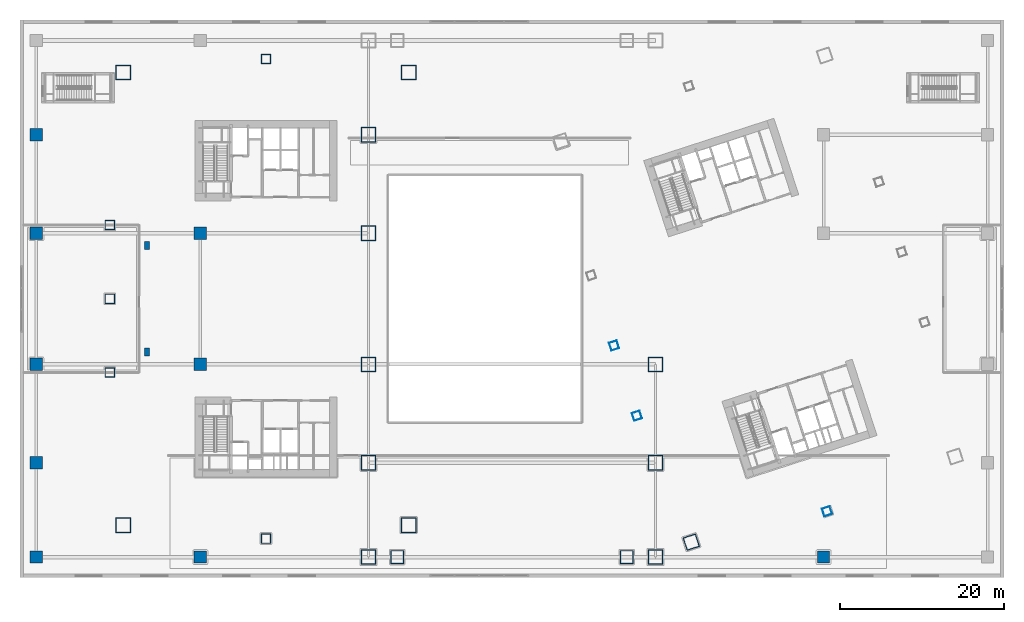
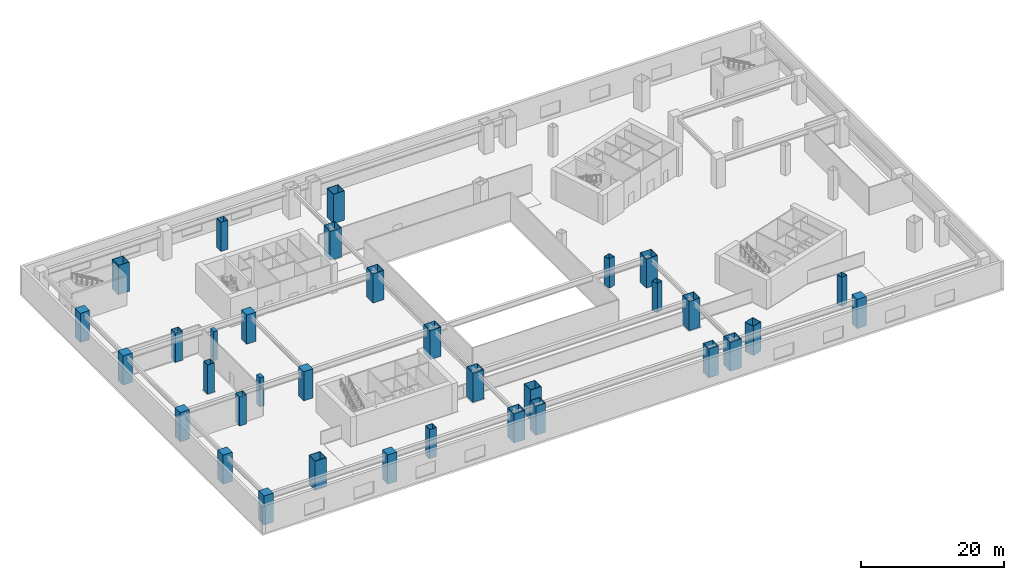
# One storey, part 1 of 35: 34 columns.
"""IFC4 building model written with IfcOpenShell, lengths in metres."""

from ifc_helpers import new_model, si_unit, direction, frame, origin, origin_2d, place, context, subcontext, project, spatial, rectangle, hollow_rectangle, extrude, material, material_profile, profile_set, type_object, element, save


model = new_model("IFC4")

# Units and contexts
model_context = context("Model", 3, precision=1e-05, world=origin(), true_north=direction((0.0, 1.0)))
body_context = subcontext(model_context, "Body", "Model", "MODEL_VIEW")
ifc_project = project(units=[si_unit("LENGTHUNIT", "METRE"), si_unit("AREAUNIT", "SQUARE_METRE"), si_unit("VOLUMEUNIT", "CUBIC_METRE"), si_unit("PLANEANGLEUNIT", "RADIAN"), si_unit("MASSUNIT", "GRAM", prefix="KILO")], contexts=[model_context])

# Site, building, storey
site_placement = place(None, origin())
site = spatial("IfcSite", under=ifc_project, at=site_placement, CompositionType="ELEMENT")
building_placement = place(site_placement, origin())
building = spatial("IfcBuilding", under=site, at=building_placement, Name="Qiaolan Cultural Towers", CompositionType="ELEMENT")
storey_placement = place(building_placement, frame((0.0, 0.0, 11.5)))
storey = spatial("IfcBuildingStorey", under=building, at=storey_placement, Name="L02", CompositionType="ELEMENT", Elevation=11.5)

# Columns
ifc_material_1 = material(Name="Steel Q355B", Category="steel")
ifc_material_profile_1 = material_profile(ifc_material_1, hollow_rectangle(XDim=1.0, YDim=1.0, WallThickness=0.035888671875, at=origin_2d()), Name="BOX1000x1000x36")
ifc_profile_set_1 = profile_set([ifc_material_profile_1], Name="Steel Q355B")
column_type_1 = type_object("IfcColumnType", Name="COL-BOX1000x1000x36", PredefinedType="COLUMN", material=ifc_profile_set_1)
for number, where, z_axis, x_axis, name in (
    (1, (75.234130859375, 19.739013671875, 0.0), (0.0, 0.0, 1.0), (0.951056516295, 0.309016994375, 0.0), "L02 T2 Column PC-W1"),
    (2, (72.453125, 28.298583984375, 0.0), (0.0, 0.0, 1.0), (0.951056516295, 0.309016994375, 0.0), "L02 T2 Column PC-W2"),
    (3, (98.420654296875, 8.083740234375, 0.0), (0.0, 0.0, 1.0), (0.951056516295, 0.309016994375, 0.0), "L02 T2 Column PC-S0"),
):
    element("IfcColumn", number, at=place(storey_placement, frame(where, z_axis=z_axis, x_axis=x_axis)), inside=storey, type_object=column_type_1, Name=name, PredefinedType="COLUMN", context=body_context, shape_type="SweptSolid", body=[
        extrude(hollow_rectangle(XDim=1.0, YDim=1.0, WallThickness=0.035888671875, at=origin_2d()), origin(), (0.0, 0.0, 1.0), 5.0009765625),
    ])
ifc_material_2 = material(Name="Steel Q390GJB", Category="steel")
ifc_material_profile_2 = material_profile(ifc_material_2, hollow_rectangle(XDim=1.14990234375, YDim=1.14990234375, WallThickness=0.0400390625, at=origin_2d()), Name="BOX1150x1150x40")
ifc_profile_set_2 = profile_set([ifc_material_profile_2], Name="Steel Q390GJB")
column_type_2 = type_object("IfcColumnType", Name="COL-BOX1150x1150x40", PredefinedType="COLUMN", material=ifc_profile_set_2)
for number, where, z_axis, x_axis, name in (
    (4, (10.949951171875, 25.0, 0.0), (0.0, 0.0, 1.0), (1.0, 0.0, 0.0), "L02 T1 Column PC-W1"),
    (5, (10.949951171875, 34.0, 0.0), (0.0, 0.0, 1.0), (1.0, 0.0, 0.0), "L02 T1 Column PC-W2"),
    (6, (10.949951171875, 43.0, 0.0), (0.0, 0.0, 1.0), (1.0, 0.0, 0.0), "L02 T1 Column PC-W3"),
    (7, (30.0, 4.75, 0.0), (0.0, 0.0, 1.0), (1.0, 0.0, 0.0), "L02 T1 Column PC-S0"),
    (8, (30.0, 63.25, 0.0), (0.0, 0.0, 1.0), (1.0, 0.0, 0.0), "L02 T1 Column PC-N0"),
):
    element("IfcColumn", number, at=place(storey_placement, frame(where, z_axis=z_axis, x_axis=x_axis)), inside=storey, type_object=column_type_2, Name=name, PredefinedType="COLUMN", context=body_context, shape_type="SweptSolid", body=[
        extrude(hollow_rectangle(XDim=1.14990234375, YDim=1.14990234375, WallThickness=0.0400390625, at=origin_2d()), origin(), (0.0, 0.0, 1.0), 5.0009765625),
    ])
ifc_material_3 = material(Name="Steel Q420GJB", Category="steel")
ifc_material_profile_3 = material_profile(ifc_material_3, hollow_rectangle(XDim=1.60009765625, YDim=1.60009765625, WallThickness=0.054931640625, at=origin_2d()), Name="BOX1600x1600x55")
ifc_profile_set_3 = profile_set([ifc_material_profile_3], Name="Steel Q420GJB")
column_type_3 = type_object("IfcColumnType", Name="COL-BOX1600x1600x55", PredefinedType="COLUMN", material=ifc_profile_set_3)
for number, where, z_axis, x_axis, name in (
    (9, (46.0, 2.5, 0.0), (0.0, 0.0, 1.0), (1.0, 0.0, 0.0), "L02 Podium Column PC-MID-46-2"),
    (10, (74.0, 2.5, 0.0), (0.0, 0.0, 1.0), (1.0, 0.0, 0.0), "L02 Podium Column PC-MID-74-2"),
    (11, (81.862548828125, 4.32275390625, 0.0), (0.0, 0.0, 1.0), (0.951056516295, 0.309016994375, 0.0), "L02 T2 Column MC-SW"),
):
    element("IfcColumn", number, at=place(storey_placement, frame(where, z_axis=z_axis, x_axis=x_axis)), inside=storey, type_object=column_type_3, Name=name, PredefinedType="COLUMN", context=body_context, shape_type="SweptSolid", body=[
        extrude(hollow_rectangle(XDim=1.60009765625, YDim=1.60009765625, WallThickness=0.054931640625, at=origin_2d()), origin(), (0.0, 0.0, 1.0), 5.0009765625),
    ])
ifc_material_4 = material(Name="Steel Q420GJB", Category="steel")
ifc_material_profile_4 = material_profile(ifc_material_4, hollow_rectangle(XDim=1.800048828125, YDim=1.800048828125, WallThickness=0.06005859375, at=origin_2d()), Name="BOX1800x1800x60")
ifc_profile_set_4 = profile_set([ifc_material_profile_4], Name="Steel Q420GJB")
column_type_4 = type_object("IfcColumnType", Name="COL-BOX1800x1800x60", PredefinedType="COLUMN", material=ifc_profile_set_4)
for number, where, z_axis, x_axis, name in (
    (12, (42.5, 2.5, 0.0), (0.0, 0.0, 1.0), (1.0, 0.0, 0.0), "L02 Podium Column PC-42-2"),
    (13, (42.5, 14.0, 0.0), (0.0, 0.0, 1.0), (1.0, 0.0, 0.0), "L02 Podium Column PC-42-14"),
    (14, (42.5, 26.0, 0.0), (0.0, 0.0, 1.0), (1.0, 0.0, 0.0), "L02 Podium Column PC-42-26"),
    (15, (42.5, 42.0, 0.0), (0.0, 0.0, 1.0), (1.0, 0.0, 0.0), "L02 Podium Column PC-42-42"),
    (16, (42.5, 54.0, 0.0), (0.0, 0.0, 1.0), (1.0, 0.0, 0.0), "L02 Podium Column PC-42-54"),
    (17, (77.5, 2.5, 0.0), (0.0, 0.0, 1.0), (1.0, 0.0, 0.0), "L02 Podium Column PC-77-2"),
    (18, (77.5, 14.0, 0.0), (0.0, 0.0, 1.0), (1.0, 0.0, 0.0), "L02 Podium Column PC-77-14"),
    (19, (77.5, 26.0, 0.0), (0.0, 0.0, 1.0), (1.0, 0.0, 0.0), "L02 Podium Column PC-77-26"),
    (20, (12.60009765625, 6.39990234375, 0.0), (0.0, 0.0, 1.0), (1.0, 0.0, 0.0), "L02 T1 Column MC-SW"),
    (21, (47.39990234375, 6.39990234375, 0.0), (0.0, 0.0, 1.0), (1.0, 0.0, 0.0), "L02 T1 Column MC-SE"),
    (22, (47.39990234375, 61.60009765625, 0.0), (0.0, 0.0, 1.0), (1.0, 0.0, 0.0), "L02 T1 Column MC-NE"),
    (23, (12.60009765625, 61.60009765625, 0.0), (0.0, 0.0, 1.0), (1.0, 0.0, 0.0), "L02 T1 Column MC-NW"),
):
    element("IfcColumn", number, at=place(storey_placement, frame(where, z_axis=z_axis, x_axis=x_axis)), inside=storey, type_object=column_type_4, Name=name, PredefinedType="COLUMN", context=body_context, shape_type="SweptSolid", body=[
        extrude(hollow_rectangle(XDim=1.800048828125, YDim=1.800048828125, WallThickness=0.06005859375, at=origin_2d()), origin(), (0.0, 0.0, 1.0), 5.0009765625),
    ])
ifc_material_5 = material(Name="Concrete C60", Category="concrete")
ifc_material_profile_5 = material_profile(ifc_material_5, rectangle(XDim=1.5, YDim=1.5, at=origin_2d()), Name="RC1500x1500")
ifc_profile_set_5 = profile_set([ifc_material_profile_5], Name="Concrete C60")
column_type_5 = type_object("IfcColumnType", Name="COL-RC1500x1500", PredefinedType="COLUMN", material=ifc_profile_set_5)
for number, where, z_axis, x_axis, name in (
    (24, (2.0, 2.5, 0.0), (0.0, 0.0, 1.0), (1.0, 0.0, 0.0), "L02 Podium Column PC-2-2"),
    (25, (2.0, 14.0, 0.0), (0.0, 0.0, 1.0), (1.0, 0.0, 0.0), "L02 Podium Column PC-2-14"),
    (26, (2.0, 26.0, 0.0), (0.0, 0.0, 1.0), (1.0, 0.0, 0.0), "L02 Podium Column PC-2-26"),
    (27, (2.0, 42.0, 0.0), (0.0, 0.0, 1.0), (1.0, 0.0, 0.0), "L02 Podium Column PC-2-42"),
    (28, (2.0, 54.0, 0.0), (0.0, 0.0, 1.0), (1.0, 0.0, 0.0), "L02 Podium Column PC-2-54"),
    (29, (22.0, 2.5, 0.0), (0.0, 0.0, 1.0), (1.0, 0.0, 0.0), "L02 Podium Column PC-22-2"),
    (30, (22.0, 26.0, 0.0), (0.0, 0.0, 1.0), (1.0, 0.0, 0.0), "L02 Podium Column PC-22-26"),
    (31, (22.0, 42.0, 0.0), (0.0, 0.0, 1.0), (1.0, 0.0, 0.0), "L02 Podium Column PC-22-42"),
    (32, (98.0, 2.5, 0.0), (0.0, 0.0, 1.0), (1.0, 0.0, 0.0), "L02 Podium Column PC-98-2"),
):
    element("IfcColumn", number, at=place(storey_placement, frame(where, z_axis=z_axis, x_axis=x_axis)), inside=storey, type_object=column_type_5, Name=name, PredefinedType="COLUMN", context=body_context, shape_type="SweptSolid", body=[
        extrude(rectangle(XDim=1.5, YDim=1.5, at=origin_2d()), origin(), (0.0, 0.0, 1.0), 5.0009765625),
    ])
ifc_material_6 = material(Name="Concrete C50", Category="concrete")
ifc_material_profile_6 = material_profile(ifc_material_6, rectangle(XDim=0.60009765625, YDim=0.949951171875, at=origin_2d()), Name="RC600x950")
ifc_profile_set_6 = profile_set([ifc_material_profile_6], Name="Concrete C50")
column_type_6 = type_object("IfcColumnType", Name="COL-RC600x950", PredefinedType="PILASTER", material=ifc_profile_set_6)
for number, where, z_axis, x_axis, name in (
    (33, (15.5, 27.5, 0.0), (0.0, 0.0, 1.0), (1.0, 0.0, 0.0), "L02 Museum Gallery Structural Pilaster 1"),
    (34, (15.5, 40.5, 0.0), (0.0, 0.0, 1.0), (1.0, 0.0, 0.0), "L02 Museum Gallery Structural Pilaster 2"),
):
    element("IfcColumn", number, at=place(storey_placement, frame(where, z_axis=z_axis, x_axis=x_axis)), inside=storey, type_object=column_type_6, Name=name, PredefinedType="PILASTER", context=body_context, shape_type="SweptSolid", body=[
        extrude(rectangle(XDim=0.60009765625, YDim=0.949951171875, at=origin_2d()), origin(), (0.0, 0.0, 1.0), 5.0009765625),
    ])

save(model, "model.ifc")
